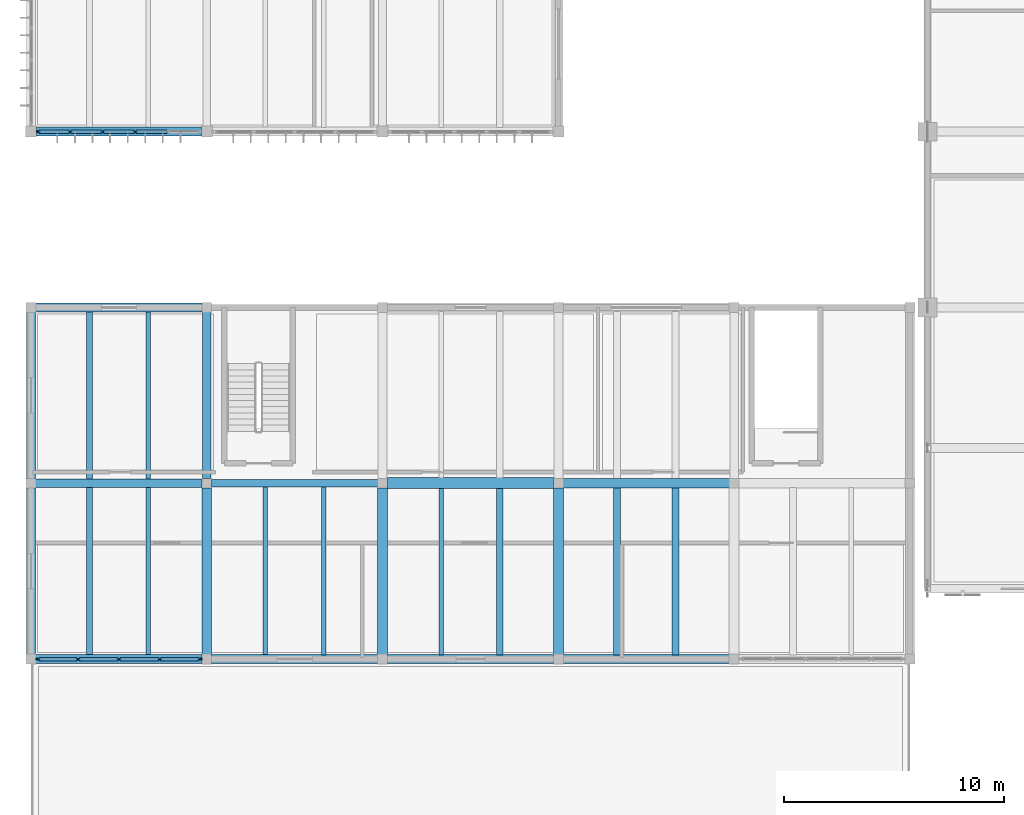
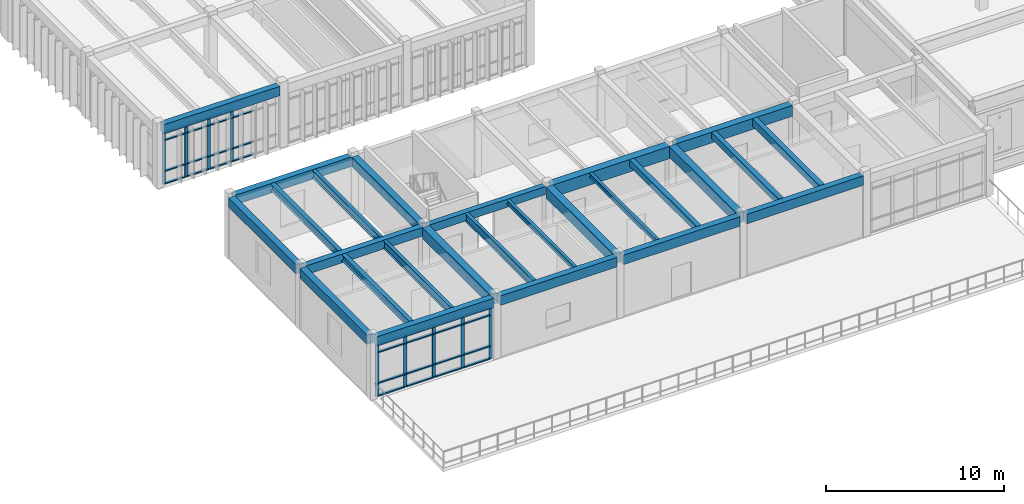
# One storey, part 3 of 79: 40 members, 26 beams, 2 elements without a shape of their own.
"""IFC4 building model written with IfcOpenShell, lengths in metres."""

from ifc_helpers import new_model, si_unit, direction, frame, origin, origin_2d, place, context, subcontext, project, spatial, rectangle, i_section, extrude, material, material_profile, profile_set, type_object, element, aggregate, save


model = new_model("IFC4")

# Units and contexts
model_context = context("Model", 3, precision=1e-05, world=origin(), true_north=direction((0.0, 1.0)))
body_context = subcontext(model_context, "Body", "Model", "MODEL_VIEW")
ifc_project = project(units=[si_unit("LENGTHUNIT", "METRE"), si_unit("AREAUNIT", "SQUARE_METRE"), si_unit("VOLUMEUNIT", "CUBIC_METRE"), si_unit("PLANEANGLEUNIT", "RADIAN"), si_unit("MASSUNIT", "GRAM", prefix="KILO")], contexts=[model_context])

# Site, building, storey
site_placement = place(None, origin())
site = spatial("IfcSite", under=ifc_project, at=site_placement, CompositionType="ELEMENT")
building_placement = place(site_placement, origin())
building = spatial("IfcBuilding", under=site, at=building_placement, Name="Tlaxcora Railside Police Headquarters", CompositionType="ELEMENT")
storey_placement = place(building_placement, frame((0.0, 0.0, 9.0)))
storey = spatial("IfcBuildingStorey", under=building, at=storey_placement, Name="L02", CompositionType="ELEMENT", Elevation=9.0)

# Curtain wall, members
ifc_material_1 = material(Name="Thermally broken low-E insulated glazing", Category="glass")
curtain_wall_type_1 = type_object("IfcCurtainWallType", Name="Unitised Curtain Wall Assembly CW-15", PredefinedType="NOTDEFINED", material=ifc_material_1)
curtain_wall_1_placement = place(storey_placement, origin())
curtain_wall_1 = element("IfcCurtainWall", 1, at=curtain_wall_1_placement, inside=storey, type_object=curtain_wall_type_1, Name="V5 L02 curtain wall 50", PredefinedType="NOTDEFINED")
ifc_material_2 = material(Name="Anodised aluminium framing", Category="aluminium")
ifc_material_profile_1 = material_profile(ifc_material_2, rectangle(XDim=0.074951171875, YDim=0.199951171875, at=origin_2d()), Name="AL75X200")
ifc_profile_set_1 = profile_set([ifc_material_profile_1], Name="Anodised aluminium framing")
member_type_1 = type_object("IfcMemberType", Name="Curtain Wall Mullion CW-58", PredefinedType="MULLION", material=ifc_profile_set_1)
member_1_placement = place(storey_placement, frame((5.53759765625, 44.0, 0.0), z_axis=(0.0, 0.0, 1.0), x_axis=(0.0, 1.0, 0.0)))
member_1 = element("IfcMember", 2, at=member_1_placement, type_object=member_type_1, Name="CW mullion 1", PredefinedType="MULLION", context=body_context, shape_type="SweptSolid", body=[
    extrude(rectangle(XDim=0.074951171875, YDim=0.199951171875, at=origin_2d()), origin(), (0.0, 0.0, 1.0), 3.550048828125),
])
member_2_placement = place(storey_placement, frame((6.97998046875, 44.0, 0.0), z_axis=(0.0, 0.0, 1.0), x_axis=(0.0, 1.0, 0.0)))
member_2 = element("IfcMember", 3, at=member_2_placement, type_object=member_type_1, Name="CW mullion 2", PredefinedType="MULLION", context=body_context, shape_type="SweptSolid", body=[
    extrude(rectangle(XDim=0.074951171875, YDim=0.199951171875, at=origin_2d()), origin(), (0.0, 0.0, 1.0), 3.550048828125),
])
member_3_placement = place(storey_placement, frame((8.4599609375, 44.0, 0.0), z_axis=(0.0, 0.0, 1.0), x_axis=(0.0, 1.0, 0.0)))
member_3 = element("IfcMember", 4, at=member_3_placement, type_object=member_type_1, Name="CW mullion 3", PredefinedType="MULLION", context=body_context, shape_type="SweptSolid", body=[
    extrude(rectangle(XDim=0.074951171875, YDim=0.199951171875, at=origin_2d()), origin(), (0.0, 0.0, 1.0), 3.550048828125),
])
member_4_placement = place(storey_placement, frame((9.93994140625, 44.0, 0.0), z_axis=(0.0, 0.0, 1.0), x_axis=(0.0, 1.0, 0.0)))
member_4 = element("IfcMember", 5, at=member_4_placement, type_object=member_type_1, Name="CW mullion 4", PredefinedType="MULLION", context=body_context, shape_type="SweptSolid", body=[
    extrude(rectangle(XDim=0.074951171875, YDim=0.199951171875, at=origin_2d()), origin(), (0.0, 0.0, 1.0), 3.550048828125),
])

curtain_wall_type_2 = type_object("IfcCurtainWallType", Name="Unitised Curtain Wall Assembly CW-83", PredefinedType="NOTDEFINED", material=ifc_material_1)
curtain_wall_2_placement = place(storey_placement, origin())
curtain_wall_2 = element("IfcCurtainWall", 6, at=curtain_wall_2_placement, inside=storey, type_object=curtain_wall_type_2, Name="V4 L02 curtain wall 27", PredefinedType="NOTDEFINED")
ifc_material_profile_2 = material_profile(ifc_material_2, rectangle(XDim=0.080078125, YDim=0.2099609375, at=origin_2d()), Name="AL80X210")
ifc_profile_set_2 = profile_set([ifc_material_profile_2], Name="Anodised aluminium framing")
member_type_2 = type_object("IfcMemberType", Name="Curtain Wall Mullion CW-76", PredefinedType="MULLION", material=ifc_profile_set_2)
member_5_placement = place(storey_placement, frame((5.514892578125, 20.0, 0.0), z_axis=(0.0, 0.0, 1.0), x_axis=(0.0, 1.0, 0.0)))
member_5 = element("IfcMember", 7, at=member_5_placement, type_object=member_type_2, Name="CW mullion 1", PredefinedType="MULLION", context=body_context, shape_type="SweptSolid", body=[
    extrude(rectangle(XDim=0.080078125, YDim=0.2099609375, at=origin_2d()), origin(), (0.0, 0.0, 1.0), 3.550048828125),
])
member_6_placement = place(storey_placement, frame((7.33740234375, 20.0, 0.0), z_axis=(0.0, 0.0, 1.0), x_axis=(0.0, 1.0, 0.0)))
member_6 = element("IfcMember", 8, at=member_6_placement, type_object=member_type_2, Name="CW mullion 2", PredefinedType="MULLION", context=body_context, shape_type="SweptSolid", body=[
    extrude(rectangle(XDim=0.080078125, YDim=0.2099609375, at=origin_2d()), origin(), (0.0, 0.0, 1.0), 3.550048828125),
])
member_7_placement = place(storey_placement, frame((9.199951171875, 20.0, 0.0), z_axis=(0.0, 0.0, 1.0), x_axis=(0.0, 1.0, 0.0)))
member_7 = element("IfcMember", 9, at=member_7_placement, type_object=member_type_2, Name="CW mullion 3", PredefinedType="MULLION", context=body_context, shape_type="SweptSolid", body=[
    extrude(rectangle(XDim=0.080078125, YDim=0.2099609375, at=origin_2d()), origin(), (0.0, 0.0, 1.0), 3.550048828125),
])
member_8_placement = place(storey_placement, frame((11.0625, 20.0, 0.0), z_axis=(0.0, 0.0, 1.0), x_axis=(0.0, 1.0, 0.0)))
member_8 = element("IfcMember", 10, at=member_8_placement, type_object=member_type_2, Name="CW mullion 4", PredefinedType="MULLION", context=body_context, shape_type="SweptSolid", body=[
    extrude(rectangle(XDim=0.080078125, YDim=0.2099609375, at=origin_2d()), origin(), (0.0, 0.0, 1.0), 3.550048828125),
])
member_9_placement = place(storey_placement, frame((12.885009765625, 20.0, 0.0), z_axis=(0.0, 0.0, 1.0), x_axis=(0.0, 1.0, 0.0)))
member_9 = element("IfcMember", 11, at=member_9_placement, type_object=member_type_2, Name="CW mullion 5", PredefinedType="MULLION", context=body_context, shape_type="SweptSolid", body=[
    extrude(rectangle(XDim=0.080078125, YDim=0.2099609375, at=origin_2d()), origin(), (0.0, 0.0, 1.0), 3.550048828125),
])

# Member
ifc_material_profile_3 = material_profile(ifc_material_2, rectangle(XDim=0.14990234375, YDim=0.074951171875, at=origin_2d()), Name="AL75X150")
ifc_profile_set_3 = profile_set([ifc_material_profile_3], Name="Anodised aluminium framing")
member_type_3 = type_object("IfcMemberType", Name="Curtain Wall Transom CW-28", PredefinedType="USERDEFINED", material=ifc_profile_set_3)
member_10_placement = place(storey_placement, frame((5.574951171875, 44.0, 0.03759765625), z_axis=(1.0, 0.0, 0.0), x_axis=(0.0, 1.0, 0.0)))
member_10 = element("IfcMember", 12, at=member_10_placement, type_object=member_type_3, Name="CW transom 1.1", ObjectType="TRANSOM", PredefinedType="USERDEFINED", context=body_context, shape_type="SweptSolid", body=[
    extrude(rectangle(XDim=0.14990234375, YDim=0.074951171875, at=origin_2d()), origin(), (0.0, 0.0, 1.0), 1.367431640625),
])

member_11_placement = place(storey_placement, frame((5.574951171875, 44.0, 0.89990234375), z_axis=(1.0, 0.0, 0.0), x_axis=(0.0, 1.0, 0.0)))
member_11 = element("IfcMember", 13, at=member_11_placement, type_object=member_type_3, Name="CW transom 1.2", ObjectType="TRANSOM", PredefinedType="USERDEFINED", context=body_context, shape_type="SweptSolid", body=[
    extrude(rectangle(XDim=0.14990234375, YDim=0.074951171875, at=origin_2d()), origin(), (0.0, 0.0, 1.0), 1.367431640625),
])

member_12_placement = place(storey_placement, frame((5.574951171875, 44.0, 3.02001953125), z_axis=(1.0, 0.0, 0.0), x_axis=(0.0, 1.0, 0.0)))
member_12 = element("IfcMember", 14, at=member_12_placement, type_object=member_type_3, Name="CW transom 1.3", ObjectType="TRANSOM", PredefinedType="USERDEFINED", context=body_context, shape_type="SweptSolid", body=[
    extrude(rectangle(XDim=0.14990234375, YDim=0.074951171875, at=origin_2d()), origin(), (0.0, 0.0, 1.0), 1.367431640625),
])

member_13_placement = place(storey_placement, frame((5.574951171875, 44.0, 3.512451171875), z_axis=(1.0, 0.0, 0.0), x_axis=(0.0, 1.0, 0.0)))
member_13 = element("IfcMember", 15, at=member_13_placement, type_object=member_type_3, Name="CW transom 1.4", ObjectType="TRANSOM", PredefinedType="USERDEFINED", context=body_context, shape_type="SweptSolid", body=[
    extrude(rectangle(XDim=0.14990234375, YDim=0.074951171875, at=origin_2d()), origin(), (0.0, 0.0, 1.0), 1.367431640625),
])

member_14_placement = place(storey_placement, frame((7.017578125, 44.0, 0.03759765625), z_axis=(1.0, 0.0, 0.0), x_axis=(0.0, 1.0, 0.0)))
member_14 = element("IfcMember", 16, at=member_14_placement, type_object=member_type_3, Name="CW transom 2.1", ObjectType="TRANSOM", PredefinedType="USERDEFINED", context=body_context, shape_type="SweptSolid", body=[
    extrude(rectangle(XDim=0.14990234375, YDim=0.074951171875, at=origin_2d()), origin(), (0.0, 0.0, 1.0), 1.405029296875),
])

member_15_placement = place(storey_placement, frame((7.017578125, 44.0, 0.89990234375), z_axis=(1.0, 0.0, 0.0), x_axis=(0.0, 1.0, 0.0)))
member_15 = element("IfcMember", 17, at=member_15_placement, type_object=member_type_3, Name="CW transom 2.2", ObjectType="TRANSOM", PredefinedType="USERDEFINED", context=body_context, shape_type="SweptSolid", body=[
    extrude(rectangle(XDim=0.14990234375, YDim=0.074951171875, at=origin_2d()), origin(), (0.0, 0.0, 1.0), 1.405029296875),
])

member_16_placement = place(storey_placement, frame((7.017578125, 44.0, 3.02001953125), z_axis=(1.0, 0.0, 0.0), x_axis=(0.0, 1.0, 0.0)))
member_16 = element("IfcMember", 18, at=member_16_placement, type_object=member_type_3, Name="CW transom 2.3", ObjectType="TRANSOM", PredefinedType="USERDEFINED", context=body_context, shape_type="SweptSolid", body=[
    extrude(rectangle(XDim=0.14990234375, YDim=0.074951171875, at=origin_2d()), origin(), (0.0, 0.0, 1.0), 1.405029296875),
])

member_17_placement = place(storey_placement, frame((7.017578125, 44.0, 3.512451171875), z_axis=(1.0, 0.0, 0.0), x_axis=(0.0, 1.0, 0.0)))
member_17 = element("IfcMember", 19, at=member_17_placement, type_object=member_type_3, Name="CW transom 2.4", ObjectType="TRANSOM", PredefinedType="USERDEFINED", context=body_context, shape_type="SweptSolid", body=[
    extrude(rectangle(XDim=0.14990234375, YDim=0.074951171875, at=origin_2d()), origin(), (0.0, 0.0, 1.0), 1.405029296875),
])

member_18_placement = place(storey_placement, frame((8.49755859375, 44.0, 0.03759765625), z_axis=(1.0, 0.0, 0.0), x_axis=(0.0, 1.0, 0.0)))
member_18 = element("IfcMember", 20, at=member_18_placement, type_object=member_type_3, Name="CW transom 3.1", ObjectType="TRANSOM", PredefinedType="USERDEFINED", context=body_context, shape_type="SweptSolid", body=[
    extrude(rectangle(XDim=0.14990234375, YDim=0.074951171875, at=origin_2d()), origin(), (0.0, 0.0, 1.0), 1.405029296875),
])

member_19_placement = place(storey_placement, frame((8.49755859375, 44.0, 0.89990234375), z_axis=(1.0, 0.0, 0.0), x_axis=(0.0, 1.0, 0.0)))
member_19 = element("IfcMember", 21, at=member_19_placement, type_object=member_type_3, Name="CW transom 3.2", ObjectType="TRANSOM", PredefinedType="USERDEFINED", context=body_context, shape_type="SweptSolid", body=[
    extrude(rectangle(XDim=0.14990234375, YDim=0.074951171875, at=origin_2d()), origin(), (0.0, 0.0, 1.0), 1.405029296875),
])

member_20_placement = place(storey_placement, frame((8.49755859375, 44.0, 3.02001953125), z_axis=(1.0, 0.0, 0.0), x_axis=(0.0, 1.0, 0.0)))
member_20 = element("IfcMember", 22, at=member_20_placement, type_object=member_type_3, Name="CW transom 3.3", ObjectType="TRANSOM", PredefinedType="USERDEFINED", context=body_context, shape_type="SweptSolid", body=[
    extrude(rectangle(XDim=0.14990234375, YDim=0.074951171875, at=origin_2d()), origin(), (0.0, 0.0, 1.0), 1.405029296875),
])

member_21_placement = place(storey_placement, frame((8.49755859375, 44.0, 3.512451171875), z_axis=(1.0, 0.0, 0.0), x_axis=(0.0, 1.0, 0.0)))
member_21 = element("IfcMember", 23, at=member_21_placement, type_object=member_type_3, Name="CW transom 3.4", ObjectType="TRANSOM", PredefinedType="USERDEFINED", context=body_context, shape_type="SweptSolid", body=[
    extrude(rectangle(XDim=0.14990234375, YDim=0.074951171875, at=origin_2d()), origin(), (0.0, 0.0, 1.0), 1.405029296875),
])

member_22_placement = place(storey_placement, frame((9.9775390625, 44.0, 0.03759765625), z_axis=(1.0, 0.0, 0.0), x_axis=(0.0, 1.0, 0.0)))
member_22 = element("IfcMember", 24, at=member_22_placement, type_object=member_type_3, Name="CW transom 4.1", ObjectType="TRANSOM", PredefinedType="USERDEFINED", context=body_context, shape_type="SweptSolid", body=[
    extrude(rectangle(XDim=0.14990234375, YDim=0.074951171875, at=origin_2d()), origin(), (0.0, 0.0, 1.0), 1.405029296875),
])

member_23_placement = place(storey_placement, frame((9.9775390625, 44.0, 0.89990234375), z_axis=(1.0, 0.0, 0.0), x_axis=(0.0, 1.0, 0.0)))
member_23 = element("IfcMember", 25, at=member_23_placement, type_object=member_type_3, Name="CW transom 4.2", ObjectType="TRANSOM", PredefinedType="USERDEFINED", context=body_context, shape_type="SweptSolid", body=[
    extrude(rectangle(XDim=0.14990234375, YDim=0.074951171875, at=origin_2d()), origin(), (0.0, 0.0, 1.0), 1.405029296875),
])

member_24_placement = place(storey_placement, frame((9.9775390625, 44.0, 3.02001953125), z_axis=(1.0, 0.0, 0.0), x_axis=(0.0, 1.0, 0.0)))
member_24 = element("IfcMember", 26, at=member_24_placement, type_object=member_type_3, Name="CW transom 4.3", ObjectType="TRANSOM", PredefinedType="USERDEFINED", context=body_context, shape_type="SweptSolid", body=[
    extrude(rectangle(XDim=0.14990234375, YDim=0.074951171875, at=origin_2d()), origin(), (0.0, 0.0, 1.0), 1.405029296875),
])

aggregate(curtain_wall_1, [member_1, member_2, member_3, member_4, member_10, member_11, member_12, member_13, member_14, member_15, member_16, member_17, member_18, member_19, member_20, member_21, member_22, member_23, member_24])

ifc_material_profile_4 = material_profile(ifc_material_2, rectangle(XDim=0.159912109375, YDim=0.080078125, at=origin_2d()), Name="AL80X160")
ifc_profile_set_4 = profile_set([ifc_material_profile_4], Name="Anodised aluminium framing")
member_type_4 = type_object("IfcMemberType", Name="Curtain Wall Transom CW-82", PredefinedType="USERDEFINED", material=ifc_profile_set_4)
member_25_placement = place(storey_placement, frame((5.554931640625, 20.0, 0.0400390625), z_axis=(1.0, 0.0, 0.0), x_axis=(0.0, 1.0, 0.0)))
member_25 = element("IfcMember", 27, at=member_25_placement, type_object=member_type_4, Name="CW transom 1.1", ObjectType="TRANSOM", PredefinedType="USERDEFINED", context=body_context, shape_type="SweptSolid", body=[
    extrude(rectangle(XDim=0.159912109375, YDim=0.080078125, at=origin_2d()), origin(), (0.0, 0.0, 1.0), 1.74267578125),
])

member_26_placement = place(storey_placement, frame((5.554931640625, 20.0, 0.89990234375), z_axis=(1.0, 0.0, 0.0), x_axis=(0.0, 1.0, 0.0)))
member_26 = element("IfcMember", 28, at=member_26_placement, type_object=member_type_4, Name="CW transom 1.2", ObjectType="TRANSOM", PredefinedType="USERDEFINED", context=body_context, shape_type="SweptSolid", body=[
    extrude(rectangle(XDim=0.159912109375, YDim=0.080078125, at=origin_2d()), origin(), (0.0, 0.0, 1.0), 1.74267578125),
])

member_27_placement = place(storey_placement, frame((5.554931640625, 20.0, 3.02001953125), z_axis=(1.0, 0.0, 0.0), x_axis=(0.0, 1.0, 0.0)))
member_27 = element("IfcMember", 29, at=member_27_placement, type_object=member_type_4, Name="CW transom 1.3", ObjectType="TRANSOM", PredefinedType="USERDEFINED", context=body_context, shape_type="SweptSolid", body=[
    extrude(rectangle(XDim=0.159912109375, YDim=0.080078125, at=origin_2d()), origin(), (0.0, 0.0, 1.0), 1.74267578125),
])

member_28_placement = place(storey_placement, frame((5.554931640625, 20.0, 3.510009765625), z_axis=(1.0, 0.0, 0.0), x_axis=(0.0, 1.0, 0.0)))
member_28 = element("IfcMember", 30, at=member_28_placement, type_object=member_type_4, Name="CW transom 1.4", ObjectType="TRANSOM", PredefinedType="USERDEFINED", context=body_context, shape_type="SweptSolid", body=[
    extrude(rectangle(XDim=0.159912109375, YDim=0.080078125, at=origin_2d()), origin(), (0.0, 0.0, 1.0), 1.74267578125),
])

member_29_placement = place(storey_placement, frame((7.37744140625, 20.0, 0.0400390625), z_axis=(1.0, 0.0, 0.0), x_axis=(0.0, 1.0, 0.0)))
member_29 = element("IfcMember", 31, at=member_29_placement, type_object=member_type_4, Name="CW transom 2.1", ObjectType="TRANSOM", PredefinedType="USERDEFINED", context=body_context, shape_type="SweptSolid", body=[
    extrude(rectangle(XDim=0.159912109375, YDim=0.080078125, at=origin_2d()), origin(), (0.0, 0.0, 1.0), 1.782470703125),
])

member_30_placement = place(storey_placement, frame((7.37744140625, 20.0, 0.89990234375), z_axis=(1.0, 0.0, 0.0), x_axis=(0.0, 1.0, 0.0)))
member_30 = element("IfcMember", 32, at=member_30_placement, type_object=member_type_4, Name="CW transom 2.2", ObjectType="TRANSOM", PredefinedType="USERDEFINED", context=body_context, shape_type="SweptSolid", body=[
    extrude(rectangle(XDim=0.159912109375, YDim=0.080078125, at=origin_2d()), origin(), (0.0, 0.0, 1.0), 1.782470703125),
])

member_31_placement = place(storey_placement, frame((7.37744140625, 20.0, 3.02001953125), z_axis=(1.0, 0.0, 0.0), x_axis=(0.0, 1.0, 0.0)))
member_31 = element("IfcMember", 33, at=member_31_placement, type_object=member_type_4, Name="CW transom 2.3", ObjectType="TRANSOM", PredefinedType="USERDEFINED", context=body_context, shape_type="SweptSolid", body=[
    extrude(rectangle(XDim=0.159912109375, YDim=0.080078125, at=origin_2d()), origin(), (0.0, 0.0, 1.0), 1.782470703125),
])

member_32_placement = place(storey_placement, frame((7.37744140625, 20.0, 3.510009765625), z_axis=(1.0, 0.0, 0.0), x_axis=(0.0, 1.0, 0.0)))
member_32 = element("IfcMember", 34, at=member_32_placement, type_object=member_type_4, Name="CW transom 2.4", ObjectType="TRANSOM", PredefinedType="USERDEFINED", context=body_context, shape_type="SweptSolid", body=[
    extrude(rectangle(XDim=0.159912109375, YDim=0.080078125, at=origin_2d()), origin(), (0.0, 0.0, 1.0), 1.782470703125),
])

member_33_placement = place(storey_placement, frame((9.239990234375, 20.0, 0.0400390625), z_axis=(1.0, 0.0, 0.0), x_axis=(0.0, 1.0, 0.0)))
member_33 = element("IfcMember", 35, at=member_33_placement, type_object=member_type_4, Name="CW transom 3.1", ObjectType="TRANSOM", PredefinedType="USERDEFINED", context=body_context, shape_type="SweptSolid", body=[
    extrude(rectangle(XDim=0.159912109375, YDim=0.080078125, at=origin_2d()), origin(), (0.0, 0.0, 1.0), 1.782470703125),
])

member_34_placement = place(storey_placement, frame((9.239990234375, 20.0, 0.89990234375), z_axis=(1.0, 0.0, 0.0), x_axis=(0.0, 1.0, 0.0)))
member_34 = element("IfcMember", 36, at=member_34_placement, type_object=member_type_4, Name="CW transom 3.2", ObjectType="TRANSOM", PredefinedType="USERDEFINED", context=body_context, shape_type="SweptSolid", body=[
    extrude(rectangle(XDim=0.159912109375, YDim=0.080078125, at=origin_2d()), origin(), (0.0, 0.0, 1.0), 1.782470703125),
])

member_35_placement = place(storey_placement, frame((9.239990234375, 20.0, 3.02001953125), z_axis=(1.0, 0.0, 0.0), x_axis=(0.0, 1.0, 0.0)))
member_35 = element("IfcMember", 37, at=member_35_placement, type_object=member_type_4, Name="CW transom 3.3", ObjectType="TRANSOM", PredefinedType="USERDEFINED", context=body_context, shape_type="SweptSolid", body=[
    extrude(rectangle(XDim=0.159912109375, YDim=0.080078125, at=origin_2d()), origin(), (0.0, 0.0, 1.0), 1.782470703125),
])

member_36_placement = place(storey_placement, frame((9.239990234375, 20.0, 3.510009765625), z_axis=(1.0, 0.0, 0.0), x_axis=(0.0, 1.0, 0.0)))
member_36 = element("IfcMember", 38, at=member_36_placement, type_object=member_type_4, Name="CW transom 3.4", ObjectType="TRANSOM", PredefinedType="USERDEFINED", context=body_context, shape_type="SweptSolid", body=[
    extrude(rectangle(XDim=0.159912109375, YDim=0.080078125, at=origin_2d()), origin(), (0.0, 0.0, 1.0), 1.782470703125),
])

member_37_placement = place(storey_placement, frame((11.1025390625, 20.0, 0.0400390625), z_axis=(1.0, 0.0, 0.0), x_axis=(0.0, 1.0, 0.0)))
member_37 = element("IfcMember", 39, at=member_37_placement, type_object=member_type_4, Name="CW transom 4.1", ObjectType="TRANSOM", PredefinedType="USERDEFINED", context=body_context, shape_type="SweptSolid", body=[
    extrude(rectangle(XDim=0.159912109375, YDim=0.080078125, at=origin_2d()), origin(), (0.0, 0.0, 1.0), 1.742431640625),
])

member_38_placement = place(storey_placement, frame((11.1025390625, 20.0, 0.89990234375), z_axis=(1.0, 0.0, 0.0), x_axis=(0.0, 1.0, 0.0)))
member_38 = element("IfcMember", 40, at=member_38_placement, type_object=member_type_4, Name="CW transom 4.2", ObjectType="TRANSOM", PredefinedType="USERDEFINED", context=body_context, shape_type="SweptSolid", body=[
    extrude(rectangle(XDim=0.159912109375, YDim=0.080078125, at=origin_2d()), origin(), (0.0, 0.0, 1.0), 1.742431640625),
])

member_39_placement = place(storey_placement, frame((11.1025390625, 20.0, 3.02001953125), z_axis=(1.0, 0.0, 0.0), x_axis=(0.0, 1.0, 0.0)))
member_39 = element("IfcMember", 41, at=member_39_placement, type_object=member_type_4, Name="CW transom 4.3", ObjectType="TRANSOM", PredefinedType="USERDEFINED", context=body_context, shape_type="SweptSolid", body=[
    extrude(rectangle(XDim=0.159912109375, YDim=0.080078125, at=origin_2d()), origin(), (0.0, 0.0, 1.0), 1.742431640625),
])

member_40_placement = place(storey_placement, frame((11.1025390625, 20.0, 3.510009765625), z_axis=(1.0, 0.0, 0.0), x_axis=(0.0, 1.0, 0.0)))
member_40 = element("IfcMember", 42, at=member_40_placement, type_object=member_type_4, Name="CW transom 4.4", ObjectType="TRANSOM", PredefinedType="USERDEFINED", context=body_context, shape_type="SweptSolid", body=[
    extrude(rectangle(XDim=0.159912109375, YDim=0.080078125, at=origin_2d()), origin(), (0.0, 0.0, 1.0), 1.742431640625),
])

aggregate(curtain_wall_2, [member_5, member_6, member_7, member_8, member_9, member_25, member_26, member_27, member_28, member_29, member_30, member_31, member_32, member_33, member_34, member_35, member_36, member_37, member_38, member_39, member_40])

# Beams
ifc_material_3 = material(Name="Concrete C40/50", Category="concrete")
ifc_material_profile_5 = material_profile(ifc_material_3, rectangle(XDim=0.39990234375, YDim=0.64990234375, at=origin_2d()), Name="RC400X650")
ifc_profile_set_5 = profile_set([ifc_material_profile_5], Name="Concrete C40/50")
beam_type_1 = type_object("IfcBeamType", Name="Perimeter Spandrel Beam BM-46", PredefinedType="SPANDREL", material=ifc_profile_set_5)
for number, where, z_axis, x_axis, name in (
    (43, (5.4150390625, 20.0, 3.89501953125), (1.0, 0.0, 0.0), (0.0, 1.0, 0.0), "V4 L02 X-girder Y=20.0"),
    (44, (13.4150390625, 20.0, 3.89501953125), (1.0, 0.0, 0.0), (0.0, 1.0, 0.0), "V4 L02 X-girder Y=20.0"),
    (45, (21.4150390625, 20.0, 3.89501953125), (1.0, 0.0, 0.0), (0.0, 1.0, 0.0), "V4 L02 X-girder Y=20.0"),
    (46, (29.4150390625, 20.0, 3.89501953125), (1.0, 0.0, 0.0), (0.0, 1.0, 0.0), "V4 L02 X-girder Y=20.0"),
    (47, (5.4150390625, 36.0, 3.89501953125), (1.0, 0.0, 0.0), (0.0, 1.0, 0.0), "V4 L02 X-girder Y=36.0"),
):
    element("IfcBeam", number, at=place(storey_placement, frame(where, z_axis=z_axis, x_axis=x_axis)), inside=storey, type_object=beam_type_1, Name=name, PredefinedType="SPANDREL", context=body_context, shape_type="SweptSolid", body=[
        extrude(rectangle(XDim=0.39990234375, YDim=0.64990234375, at=origin_2d()), origin(), (0.0, 0.0, 1.0), 7.570068359375),
    ])
for number, where, z_axis, x_axis, name in (
    (48, (5.199951171875, 20.215087890625, 3.89501953125), (0.0, 1.0, 0.0), (-1.0, 0.0, 0.0), "V4 L02 Y-girder X=5.2"),
    (49, (5.199951171875, 28.215087890625, 3.89501953125), (0.0, 1.0, 0.0), (-1.0, 0.0, 0.0), "V4 L02 Y-girder X=5.2"),
):
    element("IfcBeam", number, at=place(storey_placement, frame(where, z_axis=z_axis, x_axis=x_axis)), inside=storey, type_object=beam_type_1, Name=name, PredefinedType="SPANDREL", context=body_context, shape_type="SweptSolid", body=[
        extrude(rectangle(XDim=0.39990234375, YDim=0.64990234375, at=origin_2d()), origin(), (0.0, 0.0, 1.0), 7.56982421875),
    ])
beam_1_placement = place(storey_placement, frame((5.43994140625, 44.0, 3.89501953125), z_axis=(1.0, 0.0, 0.0), x_axis=(0.0, 1.0, 0.0)))
element("IfcBeam", 50, at=beam_1_placement, inside=storey, type_object=beam_type_1, Name="V5 L02 X-girder Y=44.0", PredefinedType="SPANDREL", context=body_context, shape_type="SweptSolid", body=[
    extrude(rectangle(XDim=0.39990234375, YDim=0.64990234375, at=origin_2d()), origin(), (0.0, 0.0, 1.0), 7.52001953125),
])
ifc_material_profile_6 = material_profile(ifc_material_3, rectangle(XDim=0.3798828125, YDim=0.60009765625, at=origin_2d()), Name="RC380X600")
ifc_profile_set_6 = profile_set([ifc_material_profile_6], Name="Concrete C40/50")
beam_type_2 = type_object("IfcBeamType", Name="Primary Frame Girder BM-22", PredefinedType="BEAM", material=ifc_profile_set_6)
beam_2_placement = place(storey_placement, frame((5.4150390625, 28.0, 3.919921875), z_axis=(1.0, 0.0, 0.0), x_axis=(0.0, 1.0, 0.0)))
element("IfcBeam", 51, at=beam_2_placement, inside=storey, type_object=beam_type_2, Name="V4 L02 X-girder Y=28.0", PredefinedType="BEAM", context=body_context, shape_type="SweptSolid", body=[
    extrude(rectangle(XDim=0.3798828125, YDim=0.60009765625, at=origin_2d()), origin(), (0.0, 0.0, 1.0), 7.570068359375),
])
ifc_material_profile_7 = material_profile(ifc_material_3, rectangle(XDim=0.35009765625, YDim=0.550048828125, at=origin_2d()), Name="RC350X550")
ifc_profile_set_7 = profile_set([ifc_material_profile_7], Name="Concrete C40/50")
beam_type_3 = type_object("IfcBeamType", Name="Primary Frame Girder BM-39", PredefinedType="BEAM", material=ifc_profile_set_7)
beam_3_placement = place(storey_placement, frame((13.4150390625, 28.0, 3.945068359375), z_axis=(1.0, 0.0, 0.0), x_axis=(0.0, 1.0, 0.0)))
element("IfcBeam", 52, at=beam_3_placement, inside=storey, type_object=beam_type_3, Name="V4 L02 X-girder Y=28.0", PredefinedType="BEAM", context=body_context, shape_type="SweptSolid", body=[
    extrude(rectangle(XDim=0.35009765625, YDim=0.550048828125, at=origin_2d()), origin(), (0.0, 0.0, 1.0), 7.570068359375),
])
ifc_material_profile_8 = material_profile(ifc_material_3, rectangle(XDim=0.39990234375, YDim=0.64990234375, at=origin_2d()), Name="RC400X650")
ifc_profile_set_8 = profile_set([ifc_material_profile_8], Name="Concrete C40/50")
beam_type_4 = type_object("IfcBeamType", Name="Primary Frame Girder BM-41", PredefinedType="BEAM", material=ifc_profile_set_8)
beam_4_placement = place(storey_placement, frame((13.199951171875, 28.215087890625, 3.89501953125), z_axis=(0.0, 1.0, 0.0), x_axis=(-1.0, 0.0, 0.0)))
element("IfcBeam", 53, at=beam_4_placement, inside=storey, type_object=beam_type_4, Name="V4 L02 Y-girder X=13.2", PredefinedType="BEAM", context=body_context, shape_type="SweptSolid", body=[
    extrude(rectangle(XDim=0.39990234375, YDim=0.64990234375, at=origin_2d()), origin(), (0.0, 0.0, 1.0), 7.56982421875),
])
ifc_material_profile_9 = material_profile(ifc_material_3, rectangle(XDim=0.5, YDim=0.85009765625, at=origin_2d()), Name="RC500X850")
ifc_profile_set_9 = profile_set([ifc_material_profile_9], Name="Concrete C40/50")
beam_type_5 = type_object("IfcBeamType", Name="Primary Frame Girder BM-64", PredefinedType="BEAM", material=ifc_profile_set_9)
beam_5_placement = place(storey_placement, frame((21.4150390625, 28.0, 3.794921875), z_axis=(1.0, 0.0, 0.0), x_axis=(0.0, 1.0, 0.0)))
element("IfcBeam", 54, at=beam_5_placement, inside=storey, type_object=beam_type_5, Name="V4 L02 X-girder Y=28.0", PredefinedType="BEAM", context=body_context, shape_type="SweptSolid", body=[
    extrude(rectangle(XDim=0.5, YDim=0.85009765625, at=origin_2d()), origin(), (0.0, 0.0, 1.0), 7.570068359375),
])
ifc_material_profile_10 = material_profile(ifc_material_3, rectangle(XDim=0.449951171875, YDim=0.75, at=origin_2d()), Name="RC450X750")
ifc_profile_set_10 = profile_set([ifc_material_profile_10], Name="Concrete C40/50")
beam_type_6 = type_object("IfcBeamType", Name="Primary Frame Girder BM-73", PredefinedType="BEAM", material=ifc_profile_set_10)
beam_6_placement = place(storey_placement, frame((29.4150390625, 28.0, 3.844970703125), z_axis=(1.0, 0.0, 0.0), x_axis=(0.0, 1.0, 0.0)))
element("IfcBeam", 55, at=beam_6_placement, inside=storey, type_object=beam_type_6, Name="V4 L02 X-girder Y=28.0", PredefinedType="BEAM", context=body_context, shape_type="SweptSolid", body=[
    extrude(rectangle(XDim=0.449951171875, YDim=0.75, at=origin_2d()), origin(), (0.0, 0.0, 1.0), 7.570068359375),
])
for number, where, z_axis, x_axis, name in (
    (56, (13.199951171875, 20.215087890625, 3.844970703125), (0.0, 1.0, 0.0), (-1.0, 0.0, 0.0), "V4 L02 Y-girder X=13.2"),
    (57, (21.199951171875, 20.215087890625, 3.844970703125), (0.0, 1.0, 0.0), (-1.0, 0.0, 0.0), "V4 L02 Y-girder X=21.2"),
    (58, (29.199951171875, 20.215087890625, 3.844970703125), (0.0, 1.0, 0.0), (-1.0, 0.0, 0.0), "V4 L02 Y-girder X=29.2"),
):
    element("IfcBeam", number, at=place(storey_placement, frame(where, z_axis=z_axis, x_axis=x_axis)), inside=storey, type_object=beam_type_6, Name=name, PredefinedType="BEAM", context=body_context, shape_type="SweptSolid", body=[
        extrude(rectangle(XDim=0.449951171875, YDim=0.75, at=origin_2d()), origin(), (0.0, 0.0, 1.0), 7.56982421875),
    ])
ifc_material_4 = material(Name="Concrete C35/45", Category="concrete")
ifc_material_profile_11 = material_profile(ifc_material_4, rectangle(XDim=0.300048828125, YDim=0.449951171875, at=origin_2d()), Name="RC300X450")
ifc_profile_set_11 = profile_set([ifc_material_profile_11], Name="Concrete C35/45")
beam_type_7 = type_object("IfcBeamType", Name="Secondary Floor Joist BM-27", PredefinedType="JOIST", material=ifc_profile_set_11)
beam_7_placement = place(storey_placement, frame((26.533203125, 20.19189453125, 3.9951171875), z_axis=(0.0, 1.0, 0.0), x_axis=(-1.0, 0.0, 0.0)))
element("IfcBeam", 59, at=beam_7_placement, inside=storey, type_object=beam_type_7, Name="V4 L02 floor joist X=26.53", PredefinedType="JOIST", context=body_context, shape_type="SweptSolid", body=[
    extrude(rectangle(XDim=0.300048828125, YDim=0.449951171875, at=origin_2d()), origin(), (0.0, 0.0, 1.0), 7.566162109375),
])
beam_8_placement = place(storey_placement, frame((31.86669921875, 20.19189453125, 3.9951171875), z_axis=(0.0, 1.0, 0.0), x_axis=(-1.0, 0.0, 0.0)))
element("IfcBeam", 60, at=beam_8_placement, inside=storey, type_object=beam_type_7, Name="V4 L02 floor joist X=31.87", PredefinedType="JOIST", context=body_context, shape_type="SweptSolid", body=[
    extrude(rectangle(XDim=0.300048828125, YDim=0.449951171875, at=origin_2d()), origin(), (0.0, 0.0, 1.0), 7.591064453125),
])
ifc_material_5 = material(Name="Steel ASTM A992 Grade 50", Category="steel")
ifc_material_profile_12 = material_profile(ifc_material_5, i_section(OverallWidth=0.280029296875, OverallDepth=0.4619140625, WebThickness=0.0107421875, FlangeThickness=0.017333984375, at=origin_2d()), Name="W18X76")
ifc_profile_set_12 = profile_set([ifc_material_profile_12], Name="Steel ASTM A992 Grade 50")
beam_type_8 = type_object("IfcBeamType", Name="Secondary Floor Joist BM-44", PredefinedType="JOIST", material=ifc_profile_set_12)
for number, where, z_axis, x_axis, name in (
    (61, (7.86669921875, 20.19189453125, 3.989013671875), (0.0, 1.0, 0.0), (-1.0, 0.0, 0.0), "V4 L02 floor joist X=7.87"),
    (62, (7.86669921875, 28.181884765625, 3.989013671875), (0.0, 1.0, 0.0), (-1.0, 0.0, 0.0), "V4 L02 floor joist X=7.87"),
):
    element("IfcBeam", number, at=place(storey_placement, frame(where, z_axis=z_axis, x_axis=x_axis)), inside=storey, type_object=beam_type_8, Name=name, PredefinedType="JOIST", context=body_context, shape_type="SweptSolid", body=[
        extrude(i_section(OverallWidth=0.280029296875, OverallDepth=0.4619140625, WebThickness=0.0107421875, FlangeThickness=0.017333984375, at=origin_2d()), origin(), (0.0, 0.0, 1.0), 7.626220703125),
    ])
ifc_material_profile_13 = material_profile(ifc_material_4, rectangle(XDim=0.320068359375, YDim=0.5, at=origin_2d()), Name="RC320X500")
ifc_profile_set_13 = profile_set([ifc_material_profile_13], Name="Concrete C35/45")
beam_type_9 = type_object("IfcBeamType", Name="Secondary Floor Joist BM-88", PredefinedType="JOIST", material=ifc_profile_set_13)
beam_9_placement = place(storey_placement, frame((34.533203125, 20.19189453125, 3.969970703125), z_axis=(0.0, 1.0, 0.0), x_axis=(-1.0, 0.0, 0.0)))
element("IfcBeam", 63, at=beam_9_placement, inside=storey, type_object=beam_type_9, Name="V4 L02 floor joist X=34.53", PredefinedType="JOIST", context=body_context, shape_type="SweptSolid", body=[
    extrude(rectangle(XDim=0.320068359375, YDim=0.5, at=origin_2d()), origin(), (0.0, 0.0, 1.0), 7.591064453125),
])
ifc_material_profile_14 = material_profile(ifc_material_5, i_section(OverallWidth=0.202880859375, OverallDepth=0.302978515625, WebThickness=0.007568359375, FlangeThickness=0.01318359375, at=origin_2d()), Name="W12X40")
ifc_profile_set_14 = profile_set([ifc_material_profile_14], Name="Steel ASTM A992 Grade 50")
beam_type_10 = type_object("IfcBeamType", Name="Secondary Floor Joist BM-96", PredefinedType="JOIST", material=ifc_profile_set_14)
beam_10_placement = place(storey_placement, frame((18.533203125, 20.19189453125, 4.068603515625), z_axis=(0.0, 1.0, 0.0), x_axis=(-1.0, 0.0, 0.0)))
element("IfcBeam", 64, at=beam_10_placement, inside=storey, type_object=beam_type_10, Name="V4 L02 floor joist X=18.53", PredefinedType="JOIST", context=body_context, shape_type="SweptSolid", body=[
    extrude(i_section(OverallWidth=0.202880859375, OverallDepth=0.302978515625, WebThickness=0.007568359375, FlangeThickness=0.01318359375, at=origin_2d()), origin(), (0.0, 0.0, 1.0), 7.64111328125),
])
beam_11_placement = place(storey_placement, frame((23.86669921875, 20.19189453125, 4.068603515625), z_axis=(0.0, 1.0, 0.0), x_axis=(-1.0, 0.0, 0.0)))
element("IfcBeam", 65, at=beam_11_placement, inside=storey, type_object=beam_type_10, Name="V4 L02 floor joist X=23.87", PredefinedType="JOIST", context=body_context, shape_type="SweptSolid", body=[
    extrude(i_section(OverallWidth=0.202880859375, OverallDepth=0.302978515625, WebThickness=0.007568359375, FlangeThickness=0.01318359375, at=origin_2d()), origin(), (0.0, 0.0, 1.0), 7.566162109375),
])
ifc_material_profile_15 = material_profile(ifc_material_5, i_section(OverallWidth=0.214111328125, OverallDepth=0.549072265625, WebThickness=0.0146484375, FlangeThickness=0.023681640625, at=origin_2d()), Name="W21X93")
ifc_profile_set_15 = profile_set([ifc_material_profile_15], Name="Steel ASTM A992 Grade 50")
beam_type_11 = type_object("IfcBeamType", Name="Secondary Floor Joist BM-97", PredefinedType="JOIST", material=ifc_profile_set_15)
beam_12_placement = place(storey_placement, frame((10.533203125, 20.19189453125, 3.945556640625), z_axis=(0.0, 1.0, 0.0), x_axis=(-1.0, 0.0, 0.0)))
element("IfcBeam", 66, at=beam_12_placement, inside=storey, type_object=beam_type_11, Name="V4 L02 floor joist X=10.53", PredefinedType="JOIST", context=body_context, shape_type="SweptSolid", body=[
    extrude(i_section(OverallWidth=0.214111328125, OverallDepth=0.549072265625, WebThickness=0.0146484375, FlangeThickness=0.023681640625, at=origin_2d()), origin(), (0.0, 0.0, 1.0), 7.626220703125),
])
beam_13_placement = place(storey_placement, frame((15.86669921875, 20.19189453125, 3.945556640625), z_axis=(0.0, 1.0, 0.0), x_axis=(-1.0, 0.0, 0.0)))
element("IfcBeam", 67, at=beam_13_placement, inside=storey, type_object=beam_type_11, Name="V4 L02 floor joist X=15.87", PredefinedType="JOIST", context=body_context, shape_type="SweptSolid", body=[
    extrude(i_section(OverallWidth=0.214111328125, OverallDepth=0.549072265625, WebThickness=0.0146484375, FlangeThickness=0.023681640625, at=origin_2d()), origin(), (0.0, 0.0, 1.0), 7.64111328125),
])
beam_14_placement = place(storey_placement, frame((10.533203125, 28.181884765625, 3.945556640625), z_axis=(0.0, 1.0, 0.0), x_axis=(-1.0, 0.0, 0.0)))
element("IfcBeam", 68, at=beam_14_placement, inside=storey, type_object=beam_type_11, Name="V4 L02 floor joist X=10.53", PredefinedType="JOIST", context=body_context, shape_type="SweptSolid", body=[
    extrude(i_section(OverallWidth=0.214111328125, OverallDepth=0.549072265625, WebThickness=0.0146484375, FlangeThickness=0.023681640625, at=origin_2d()), origin(), (0.0, 0.0, 1.0), 7.626220703125),
])

save(model, "model.ifc")
